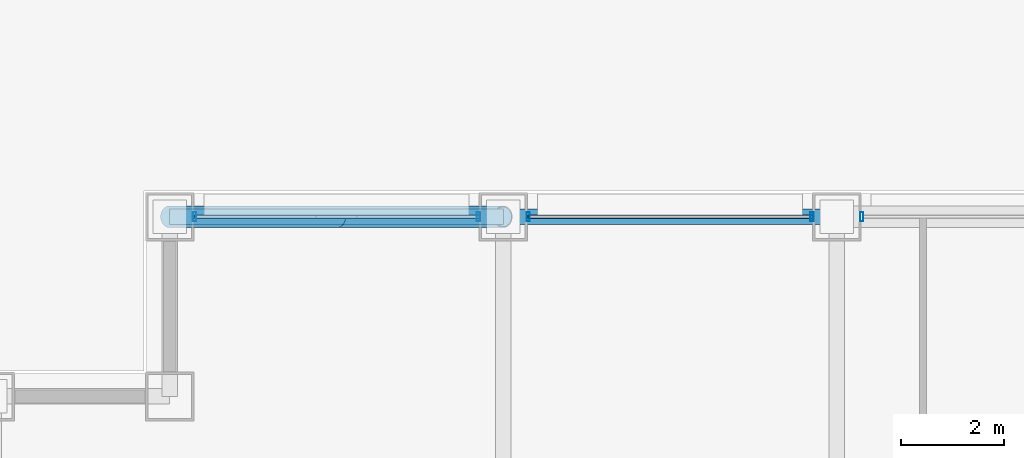
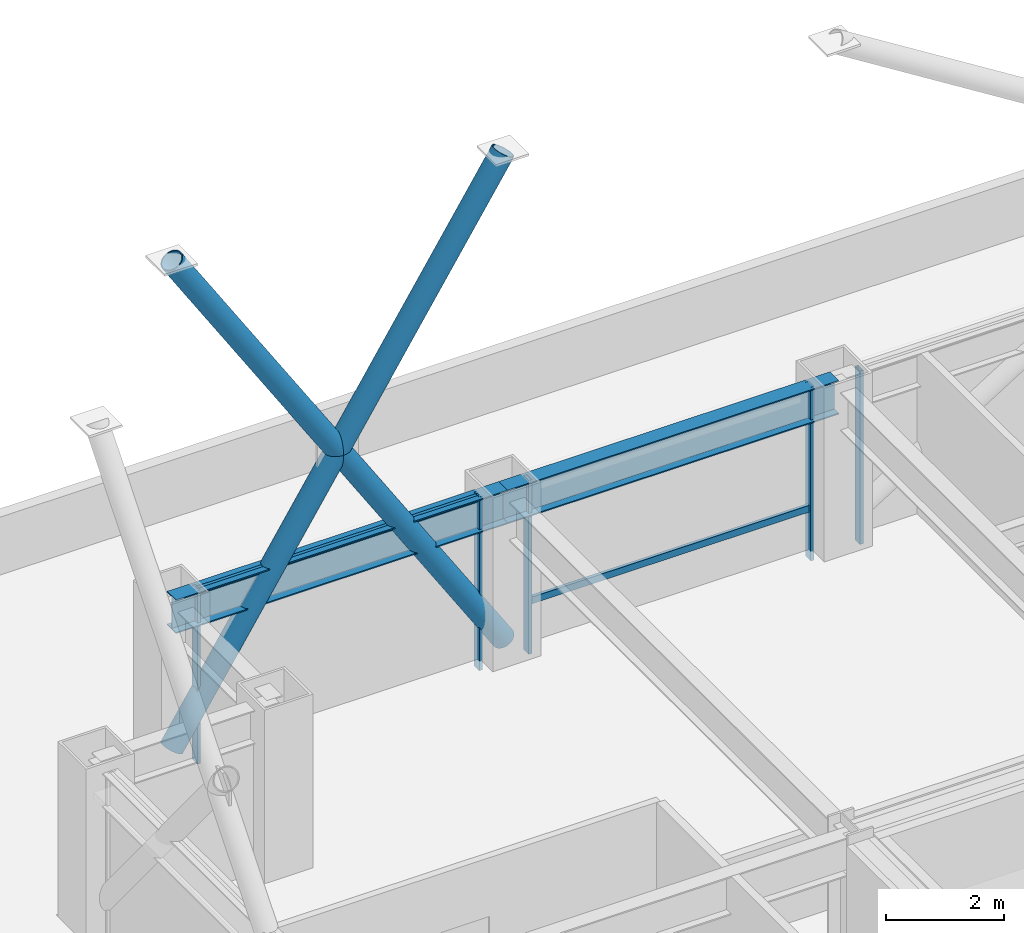
# One storey, part 21 of 33: 10 members, 2 beams, 3 elements without a shape of their own.
"""IFC4 building model written with IfcOpenShell, lengths in metres."""

from ifc_helpers import new_model, si_unit, direction, frame, origin, origin_2d, place, context, subcontext, project, spatial, hollow_rectangle, hollow_circle, i_section, extrude, material, layer, layer_set, material_profile, profile_set, type_object, element, aggregate, save


model = new_model("IFC4")

# Units and contexts
model_context = context("Model", 3, precision=1e-05, world=origin(), true_north=direction((0.0, 1.0)))
body_context = subcontext(model_context, "Body", "Model", "MODEL_VIEW")
ifc_project = project(units=[si_unit("LENGTHUNIT", "METRE"), si_unit("AREAUNIT", "SQUARE_METRE"), si_unit("VOLUMEUNIT", "CUBIC_METRE"), si_unit("PLANEANGLEUNIT", "RADIAN"), si_unit("MASSUNIT", "GRAM", prefix="KILO")], contexts=[model_context])

# Site, building, storey
site_placement = place(None, origin())
site = spatial("IfcSite", under=ifc_project, at=site_placement, CompositionType="ELEMENT")
building_placement = place(site_placement, origin())
building = spatial("IfcBuilding", under=site, at=building_placement, Name="Brelmoor Portico Tower", CompositionType="ELEMENT")
storey_placement = place(building_placement, frame((0.0, 0.0, 24.0)))
storey = spatial("IfcBuildingStorey", under=building, at=storey_placement, Name="L05", CompositionType="ELEMENT", Elevation=24.0)

# Beams
ifc_material_1 = material(Name="Steel Q355B", Category="steel")
ifc_material_profile_1 = material_profile(ifc_material_1, i_section(OverallWidth=0.300048828125, OverallDepth=0.699951171875, WebThickness=0.012939453125, FlangeThickness=0.02392578125, at=origin_2d()), Name="HN 700x300x13x24")
ifc_profile_set_1 = profile_set([ifc_material_profile_1], Name="Steel Q355B")
beam_type = type_object("IfcBeamType", Name="BM-SP-700", PredefinedType="SPANDREL", material=ifc_profile_set_1)
for number, where, z_axis, x_axis, name in (
    (1, (-21.050048828125, 21.550048828125, 3.050048828125), (1.0, 0.0, 0.0), (0.0, 1.0, 0.0), "L05 Perimeter Spandrel Beam SP-10"),
    (2, (-14.550048828125, 21.550048828125, 3.050048828125), (1.0, 0.0, 0.0), (0.0, 1.0, 0.0), "L05 Perimeter Spandrel Beam SP-11"),
):
    element("IfcBeam", number, at=place(storey_placement, frame(where, z_axis=z_axis, x_axis=x_axis)), inside=storey, type_object=beam_type, Name=name, PredefinedType="SPANDREL", context=body_context, shape_type="SweptSolid", body=[
        extrude(i_section(OverallWidth=0.300048828125, OverallDepth=0.699951171875, WebThickness=0.012939453125, FlangeThickness=0.02392578125, at=origin_2d()), origin(), (0.0, 0.0, 1.0), 6.5),
    ])

# Members
ifc_material_profile_2 = material_profile(ifc_material_1, hollow_circle(Radius=0.212890625, WallThickness=0.02001953125, at=origin_2d()), Name="CHS 426x20")
ifc_profile_set_2 = profile_set([ifc_material_profile_2], Name="Steel Q355B")
member_type_1 = type_object("IfcMemberType", Name="MB-BELT-DIAG1", PredefinedType="BRACE", material=ifc_profile_set_2)
member_1_placement = place(storey_placement, frame((-21.050048828125, 21.550048828125, 0.25), z_axis=(0.541174623135, 0.0, 0.840910237347), x_axis=(0.0, 1.0, 0.0)))
element("IfcMember", 3, at=member_1_placement, inside=storey, type_object=member_type_1, Name="L05 Continuous Mega-X Brace 003A", PredefinedType="BRACE", context=body_context, shape_type="SweptSolid", body=[
    extrude(hollow_circle(Radius=0.212890625, WallThickness=0.02001953125, at=origin_2d()), origin(), (0.0, 0.0, 1.0), 12.010986328125),
])
for number, where, z_axis, x_axis, name in (
    (4, (-14.550048828125, 21.550048828125, 0.25), (-0.541174623135, 0.0, 0.840910237347), (0.0, -1.0, 0.0), "L05 Split Mega-X Brace 003B1"),
    (5, (-17.800048828125, 21.550048828125, 5.300048828125), (-0.541174623135, 0.0, 0.840910237347), (0.0, -1.0, 0.0), "L05 Split Mega-X Brace 003B2"),
):
    element("IfcMember", number, at=place(storey_placement, frame(where, z_axis=z_axis, x_axis=x_axis)), inside=storey, type_object=member_type_1, Name=name, PredefinedType="BRACE", context=body_context, shape_type="SweptSolid", body=[
        extrude(hollow_circle(Radius=0.212890625, WallThickness=0.02001953125, at=origin_2d()), origin(), (0.0, 0.0, 1.0), 6.00537109375),
    ])

# Curtain wall, members
ifc_material_2 = material(Name="Anodised Aluminium Alloy 6063-T6", Category="aluminium")
ifc_layer_1 = layer(ifc_material_2, 0.179931640625)
ifc_layer_set_1 = layer_set([ifc_layer_1], Name="Anodised Aluminium Alloy 6063-T6")
curtain_wall_type_1 = type_object("IfcCurtainWallType", Name="CW-TOWER-Z1-XB", PredefinedType="NOTDEFINED", material=ifc_layer_set_1)
curtain_wall_1_placement = place(storey_placement, origin())
curtain_wall_1 = element("IfcCurtainWall", 6, at=curtain_wall_1_placement, inside=storey, type_object=curtain_wall_type_1, Name="L05 Curtain Wall CW-L05-02-1", PredefinedType="NOTDEFINED")
ifc_material_profile_3 = material_profile(ifc_material_2, hollow_rectangle(XDim=0.06494140625, YDim=0.179931640625, WallThickness=0.00390625, at=origin_2d()), Name="ALU MULLION 65x180")
ifc_profile_set_3 = profile_set([ifc_material_profile_3], Name="Anodised Aluminium Alloy 6063-T6")
member_type_2 = type_object("IfcMemberType", Name="MB-CW-MULL-180", PredefinedType="MULLION", material=ifc_profile_set_3)
member_2_placement = place(storey_placement, frame((-20.56494140625, 21.550048828125, -0.199951171875), z_axis=(0.0, 0.0, 1.0), x_axis=(1.0, 0.0, 0.0)))
member_2 = element("IfcMember", 7, at=member_2_placement, type_object=member_type_2, Name="CW-L05-02-1 Mullion 00", PredefinedType="MULLION", context=body_context, shape_type="SweptSolid", body=[
    extrude(hollow_rectangle(XDim=0.06494140625, YDim=0.179931640625, WallThickness=0.00390625, at=origin_2d()), origin(), (0.0, 0.0, 1.0), 3.599853515625),
])
member_3_placement = place(storey_placement, frame((-15.034912109375, 21.550048828125, -0.199951171875), z_axis=(0.0, 0.0, 1.0), x_axis=(1.0, 0.0, 0.0)))
member_3 = element("IfcMember", 8, at=member_3_placement, type_object=member_type_2, Name="CW-L05-02-1 Mullion 01", PredefinedType="MULLION", context=body_context, shape_type="SweptSolid", body=[
    extrude(hollow_rectangle(XDim=0.06494140625, YDim=0.179931640625, WallThickness=0.00390625, at=origin_2d()), origin(), (0.0, 0.0, 1.0), 3.599853515625),
])

ifc_layer_2 = layer(ifc_material_2, 0.179931640625)
ifc_layer_set_2 = layer_set([ifc_layer_2], Name="Anodised Aluminium Alloy 6063-T6")
curtain_wall_type_2 = type_object("IfcCurtainWallType", Name="CW-TOWER-Z1", PredefinedType="NOTDEFINED", material=ifc_layer_set_2)
curtain_wall_2_placement = place(storey_placement, origin())
curtain_wall_2 = element("IfcCurtainWall", 9, at=curtain_wall_2_placement, inside=storey, type_object=curtain_wall_type_2, Name="L05 Curtain Wall CW-L05-02-2", PredefinedType="NOTDEFINED")
member_4_placement = place(storey_placement, frame((-14.06494140625, 21.550048828125, -0.199951171875), z_axis=(0.0, 0.0, 1.0), x_axis=(1.0, 0.0, 0.0)))
member_4 = element("IfcMember", 10, at=member_4_placement, type_object=member_type_2, Name="CW-L05-02-2 Mullion 00", PredefinedType="MULLION", context=body_context, shape_type="SweptSolid", body=[
    extrude(hollow_rectangle(XDim=0.06494140625, YDim=0.179931640625, WallThickness=0.00390625, at=origin_2d()), origin(), (0.0, 0.0, 1.0), 3.599853515625),
])
member_5_placement = place(storey_placement, frame((-8.534912109375, 21.550048828125, -0.199951171875), z_axis=(0.0, 0.0, 1.0), x_axis=(1.0, 0.0, 0.0)))
member_5 = element("IfcMember", 11, at=member_5_placement, type_object=member_type_2, Name="CW-L05-02-2 Mullion 01", PredefinedType="MULLION", context=body_context, shape_type="SweptSolid", body=[
    extrude(hollow_rectangle(XDim=0.06494140625, YDim=0.179931640625, WallThickness=0.00390625, at=origin_2d()), origin(), (0.0, 0.0, 1.0), 3.599853515625),
])

# Curtain wall, member
curtain_wall_3_placement = place(storey_placement, origin())
curtain_wall_3 = element("IfcCurtainWall", 12, at=curtain_wall_3_placement, inside=storey, type_object=curtain_wall_type_1, Name="L05 Curtain Wall CW-L05-02-3", PredefinedType="NOTDEFINED")
member_6_placement = place(storey_placement, frame((-7.56494140625, 21.550048828125, -0.199951171875), z_axis=(0.0, 0.0, 1.0), x_axis=(1.0, 0.0, 0.0)))
member_6 = element("IfcMember", 13, at=member_6_placement, type_object=member_type_2, Name="CW-L05-02-3 Mullion 00", PredefinedType="MULLION", context=body_context, shape_type="SweptSolid", body=[
    extrude(hollow_rectangle(XDim=0.06494140625, YDim=0.179931640625, WallThickness=0.00390625, at=origin_2d()), origin(), (0.0, 0.0, 1.0), 3.599853515625),
])
aggregate(curtain_wall_3, [member_6])

# Member
ifc_material_profile_4 = material_profile(ifc_material_2, hollow_rectangle(XDim=0.06494140625, YDim=0.139892578125, WallThickness=0.00390625, at=origin_2d()), Name="ALU TRANSOM 65x140")
ifc_profile_set_4 = profile_set([ifc_material_profile_4], Name="Anodised Aluminium Alloy 6063-T6")
member_type_3 = type_object("IfcMemberType", Name="MB-CW-TRAN-140", PredefinedType="USERDEFINED", material=ifc_profile_set_4)
member_7_placement = place(storey_placement, frame((-20.56494140625, 21.550048828125, 3.330078125), z_axis=(1.0, 0.0, 0.0), x_axis=(0.0, 1.0, 0.0)))
member_7 = element("IfcMember", 14, at=member_7_placement, type_object=member_type_3, Name="CW-L05-02-1 Transom 1-00", ObjectType="TRANSOM", PredefinedType="USERDEFINED", context=body_context, shape_type="SweptSolid", body=[
    extrude(hollow_rectangle(XDim=0.06494140625, YDim=0.139892578125, WallThickness=0.00390625, at=origin_2d()), origin(), (0.0, 0.0, 1.0), 5.530029296875),
])

aggregate(curtain_wall_1, [member_2, member_3, member_7])

member_8_placement = place(storey_placement, frame((-14.06494140625, 21.550048828125, 0.85009765625), z_axis=(1.0, 0.0, 0.0), x_axis=(0.0, 1.0, 0.0)))
member_8 = element("IfcMember", 15, at=member_8_placement, type_object=member_type_3, Name="CW-L05-02-2 Transom 1-00", ObjectType="TRANSOM", PredefinedType="USERDEFINED", context=body_context, shape_type="SweptSolid", body=[
    extrude(hollow_rectangle(XDim=0.06494140625, YDim=0.139892578125, WallThickness=0.00390625, at=origin_2d()), origin(), (0.0, 0.0, 1.0), 5.530029296875),
])

aggregate(curtain_wall_2, [member_4, member_5, member_8])

save(model, "model.ifc")
